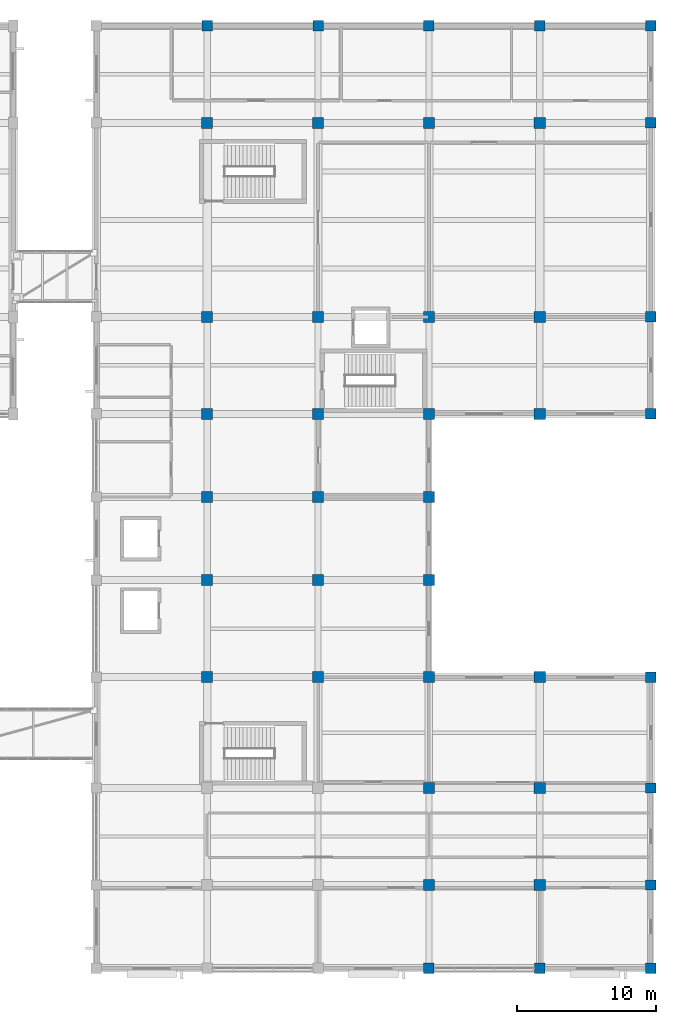
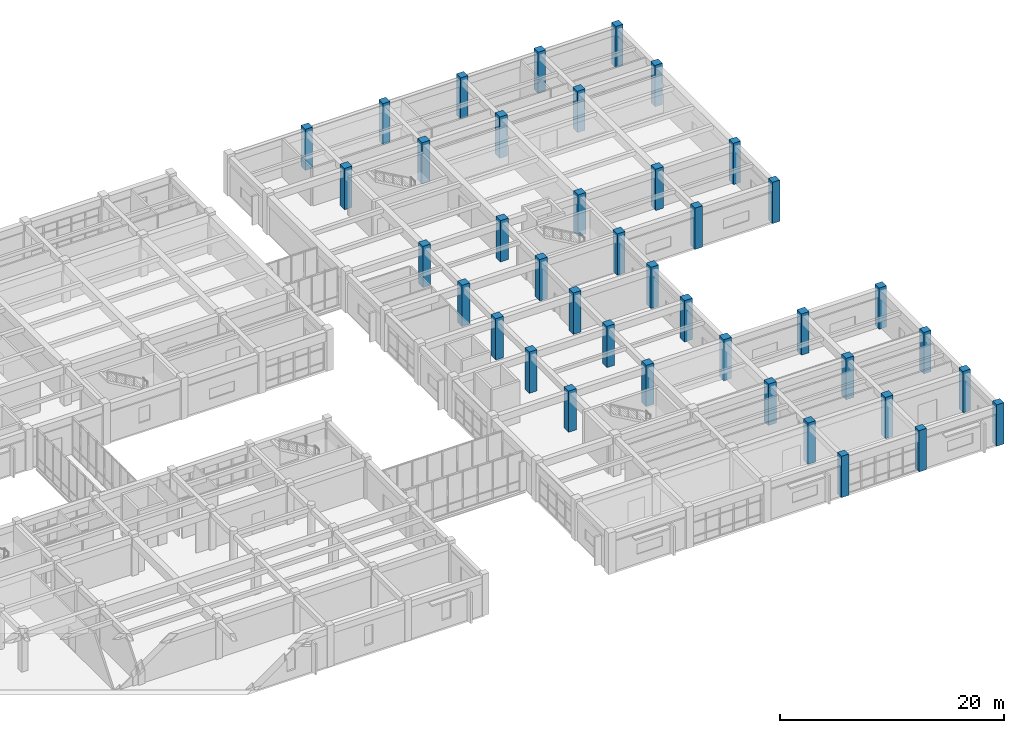
# One storey, part 2 of 70: 40 columns.
"""IFC4 building model written with IfcOpenShell, lengths in metres."""

from ifc_helpers import new_model, si_unit, direction, frame, origin, origin_2d, place, context, subcontext, project, spatial, rectangle, extrude, material, material_profile, profile_set, type_object, element, save


model = new_model("IFC4")

# Units and contexts
model_context = context("Model", 3, precision=1e-05, world=origin(), true_north=direction((0.0, 1.0)))
body_context = subcontext(model_context, "Body", "Model", "MODEL_VIEW")
ifc_project = project(units=[si_unit("LENGTHUNIT", "METRE"), si_unit("AREAUNIT", "SQUARE_METRE"), si_unit("VOLUMEUNIT", "CUBIC_METRE"), si_unit("PLANEANGLEUNIT", "RADIAN"), si_unit("MASSUNIT", "GRAM", prefix="KILO")], contexts=[model_context])

# Site, building, storey
site_placement = place(None, origin())
site = spatial("IfcSite", under=ifc_project, at=site_placement, CompositionType="ELEMENT")
building_placement = place(site_placement, origin())
building = spatial("IfcBuilding", under=site, at=building_placement, Name="Naurynzar Civic Courthouse", CompositionType="ELEMENT")
storey_placement = place(building_placement, frame((0.0, 0.0, 5.39990234375)))
storey = spatial("IfcBuildingStorey", under=building, at=storey_placement, Name="L02", CompositionType="ELEMENT", Elevation=5.39990234375)

# Columns
ifc_material_1 = material(Name="Concrete C40/50", Category="concrete")
ifc_material_profile_1 = material_profile(ifc_material_1, rectangle(XDim=0.75, YDim=0.75, at=origin_2d()), Name="RC 750x750")
ifc_profile_set_1 = profile_set([ifc_material_profile_1], Name="Concrete C40/50")
column_type_1 = type_object("IfcColumnType", Name="COL-RC-750", PredefinedType="COLUMN", material=ifc_profile_set_1)
for number, where, z_axis, x_axis, name in (
    (1, (138.0, 72.0, 0.0), (0.0, 0.0, 1.0), (1.0, 0.0, 0.0), "V5 column (138.0,72.0) L02"),
    (2, (146.0, 72.0, 0.0), (0.0, 0.0, 1.0), (1.0, 0.0, 0.0), "V5 column (146.0,72.0) L02"),
    (3, (154.0, 4.0, 0.0), (0.0, 0.0, 1.0), (1.0, 0.0, 0.0), "V5 column (154.0,4.0) L02"),
    (4, (154.0, 72.0, 0.0), (0.0, 0.0, 1.0), (1.0, 0.0, 0.0), "V5 column (154.0,72.0) L02"),
    (5, (162.0, 4.0, 0.0), (0.0, 0.0, 1.0), (1.0, 0.0, 0.0), "V5 column (162.0,4.0) L02"),
    (6, (162.0, 72.0, 0.0), (0.0, 0.0, 1.0), (1.0, 0.0, 0.0), "V5 column (162.0,72.0) L02"),
    (7, (170.0, 4.0, 0.0), (0.0, 0.0, 1.0), (1.0, 0.0, 0.0), "V5 column (170.0,4.0) L02"),
    (8, (170.0, 10.0, 0.0), (0.0, 0.0, 1.0), (1.0, 0.0, 0.0), "V5 column (170.0,10.0) L02"),
    (9, (170.0, 17.0, 0.0), (0.0, 0.0, 1.0), (1.0, 0.0, 0.0), "V5 column (170.0,17.0) L02"),
    (10, (170.0, 25.0, 0.0), (0.0, 0.0, 1.0), (1.0, 0.0, 0.0), "V5 column (170.0,25.0) L02"),
    (11, (170.0, 44.0, 0.0), (0.0, 0.0, 1.0), (1.0, 0.0, 0.0), "V5 column (170.0,44.0) L02"),
    (12, (170.0, 51.0, 0.0), (0.0, 0.0, 1.0), (1.0, 0.0, 0.0), "V5 column (170.0,51.0) L02"),
    (13, (170.0, 65.0, 0.0), (0.0, 0.0, 1.0), (1.0, 0.0, 0.0), "V5 column (170.0,65.0) L02"),
    (14, (170.0, 72.0, 0.0), (0.0, 0.0, 1.0), (1.0, 0.0, 0.0), "V5 column (170.0,72.0) L02"),
):
    element("IfcColumn", number, at=place(storey_placement, frame(where, z_axis=z_axis, x_axis=x_axis)), inside=storey, type_object=column_type_1, Name=name, PredefinedType="COLUMN", context=body_context, shape_type="SweptSolid", body=[
        extrude(rectangle(XDim=0.75, YDim=0.75, at=origin_2d()), origin(), (0.0, 0.0, 1.0), 4.5),
    ])
ifc_material_2 = material(Name="Concrete C40/50", Category="concrete")
ifc_material_profile_2 = material_profile(ifc_material_2, rectangle(XDim=0.800048828125, YDim=0.800048828125, at=origin_2d()), Name="RC 800x800")
ifc_profile_set_2 = profile_set([ifc_material_profile_2], Name="Concrete C40/50")
column_type_2 = type_object("IfcColumnType", Name="COL-RC-800", PredefinedType="COLUMN", material=ifc_profile_set_2)
for number, where, z_axis, x_axis, name in (
    (15, (138.0, 25.0, 0.0), (0.0, 0.0, 1.0), (1.0, 0.0, 0.0), "V5 column (138.0,25.0) L02"),
    (16, (138.0, 32.0, 0.0), (0.0, 0.0, 1.0), (1.0, 0.0, 0.0), "V5 column (138.0,32.0) L02"),
    (17, (138.0, 38.0, 0.0), (0.0, 0.0, 1.0), (1.0, 0.0, 0.0), "V5 column (138.0,38.0) L02"),
    (18, (138.0, 44.0, 0.0), (0.0, 0.0, 1.0), (1.0, 0.0, 0.0), "V5 column (138.0,44.0) L02"),
    (19, (138.0, 51.0, 0.0), (0.0, 0.0, 1.0), (1.0, 0.0, 0.0), "V5 column (138.0,51.0) L02"),
    (20, (138.0, 65.0, 0.0), (0.0, 0.0, 1.0), (1.0, 0.0, 0.0), "V5 column (138.0,65.0) L02"),
    (21, (146.0, 25.0, 0.0), (0.0, 0.0, 1.0), (1.0, 0.0, 0.0), "V5 column (146.0,25.0) L02"),
    (22, (146.0, 32.0, 0.0), (0.0, 0.0, 1.0), (1.0, 0.0, 0.0), "V5 column (146.0,32.0) L02"),
    (23, (146.0, 38.0, 0.0), (0.0, 0.0, 1.0), (1.0, 0.0, 0.0), "V5 column (146.0,38.0) L02"),
    (24, (146.0, 44.0, 0.0), (0.0, 0.0, 1.0), (1.0, 0.0, 0.0), "V5 column (146.0,44.0) L02"),
    (25, (146.0, 51.0, 0.0), (0.0, 0.0, 1.0), (1.0, 0.0, 0.0), "V5 column (146.0,51.0) L02"),
    (26, (146.0, 65.0, 0.0), (0.0, 0.0, 1.0), (1.0, 0.0, 0.0), "V5 column (146.0,65.0) L02"),
    (27, (154.0, 10.0, 0.0), (0.0, 0.0, 1.0), (1.0, 0.0, 0.0), "V5 column (154.0,10.0) L02"),
    (28, (154.0, 17.0, 0.0), (0.0, 0.0, 1.0), (1.0, 0.0, 0.0), "V5 column (154.0,17.0) L02"),
    (29, (154.0, 25.0, 0.0), (0.0, 0.0, 1.0), (1.0, 0.0, 0.0), "V5 column (154.0,25.0) L02"),
    (30, (154.0, 32.0, 0.0), (0.0, 0.0, 1.0), (1.0, 0.0, 0.0), "V5 column (154.0,32.0) L02"),
    (31, (154.0, 38.0, 0.0), (0.0, 0.0, 1.0), (1.0, 0.0, 0.0), "V5 column (154.0,38.0) L02"),
    (32, (154.0, 44.0, 0.0), (0.0, 0.0, 1.0), (1.0, 0.0, 0.0), "V5 column (154.0,44.0) L02"),
    (33, (154.0, 51.0, 0.0), (0.0, 0.0, 1.0), (1.0, 0.0, 0.0), "V5 column (154.0,51.0) L02"),
    (34, (154.0, 65.0, 0.0), (0.0, 0.0, 1.0), (1.0, 0.0, 0.0), "V5 column (154.0,65.0) L02"),
    (35, (162.0, 10.0, 0.0), (0.0, 0.0, 1.0), (1.0, 0.0, 0.0), "V5 column (162.0,10.0) L02"),
    (36, (162.0, 17.0, 0.0), (0.0, 0.0, 1.0), (1.0, 0.0, 0.0), "V5 column (162.0,17.0) L02"),
    (37, (162.0, 25.0, 0.0), (0.0, 0.0, 1.0), (1.0, 0.0, 0.0), "V5 column (162.0,25.0) L02"),
    (38, (162.0, 44.0, 0.0), (0.0, 0.0, 1.0), (1.0, 0.0, 0.0), "V5 column (162.0,44.0) L02"),
    (39, (162.0, 51.0, 0.0), (0.0, 0.0, 1.0), (1.0, 0.0, 0.0), "V5 column (162.0,51.0) L02"),
    (40, (162.0, 65.0, 0.0), (0.0, 0.0, 1.0), (1.0, 0.0, 0.0), "V5 column (162.0,65.0) L02"),
):
    element("IfcColumn", number, at=place(storey_placement, frame(where, z_axis=z_axis, x_axis=x_axis)), inside=storey, type_object=column_type_2, Name=name, PredefinedType="COLUMN", context=body_context, shape_type="SweptSolid", body=[
        extrude(rectangle(XDim=0.800048828125, YDim=0.800048828125, at=origin_2d()), origin(), (0.0, 0.0, 1.0), 4.5),
    ])

save(model, "model.ifc")
